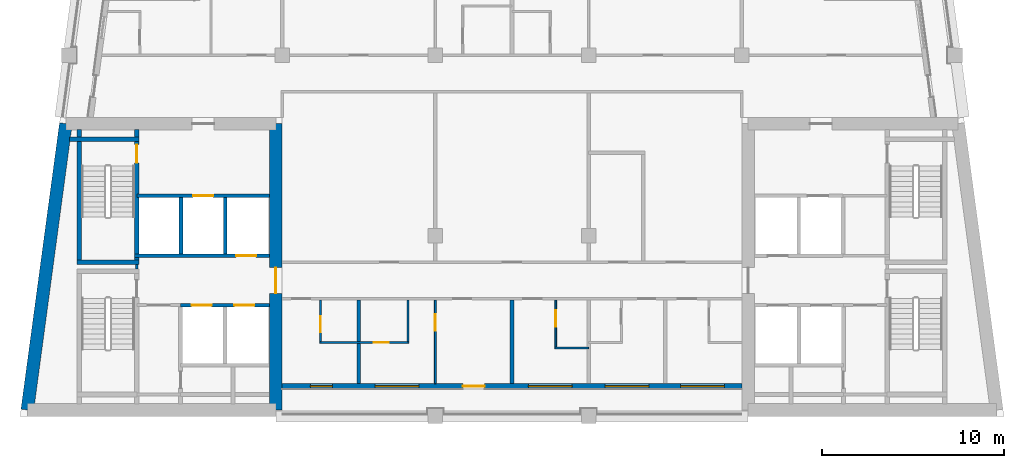
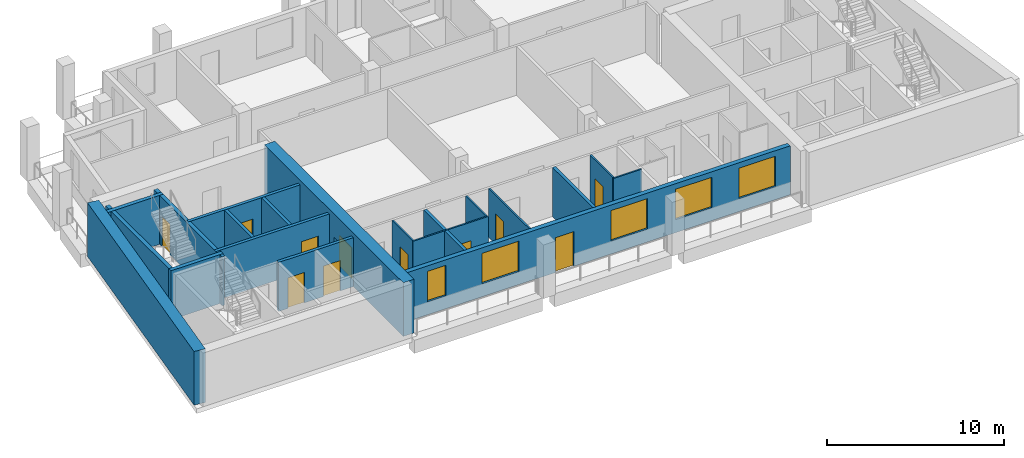
# One storey, part 2 of 10: 21 walls, 11 doors, 5 windows, 16 openings.
"""IFC4 building model written with IfcOpenShell, lengths in metres."""

import ifcopenshell
import ifcopenshell.guid

model = None  # the IFC model being written
_history = None  # IfcOwnerHistory: only IFC2X3 demands one
_inside = {}  # id of a spatial element -> (the spatial element, [elements in it])
_under = {}  # id of a project, library or spatial element -> (it, [spatial elements below it])
_declared = {}  # id of a project -> (the project, [libraries it declares])
_typed = {}  # id of a type object -> (the type object, [elements of that type])
_made_of = {}  # id of a material, layer set ... -> (it, [elements and type objects made of it])


def new_model(schema):
    """Start an empty IFC model of exactly this schema.

    Asked for "IFC4X3", IfcOpenShell would pick the latest addendum, in which some entities
    have other attributes; the version numbers below select the first issue.
    IFC2X3 requires an IfcOwnerHistory on every rooted entity: one is made here for all.
    """
    global model, _history
    if schema == "IFC4X3":
        model = ifcopenshell.file(schema_version=(4, 3, 0, 0))
    else:
        model = ifcopenshell.file(schema=schema)
    _inside.clear()
    _under.clear()
    _declared.clear()
    _typed.clear()
    _made_of.clear()
    _history = None
    if model.schema == "IFC2X3":
        org = make("IfcOrganization", Name="unknown")
        user = make(
            "IfcPersonAndOrganization",
            ThePerson=make("IfcPerson", FamilyName="unknown"),
            TheOrganization=org,
        )
        app = make(
            "IfcApplication",
            ApplicationDeveloper=org,
            Version="unknown",
            ApplicationFullName="unknown",
            ApplicationIdentifier="unknown",
        )
        _history = make(
            "IfcOwnerHistory",
            OwningUser=user,
            OwningApplication=app,
            ChangeAction="ADDED",
            CreationDate=0,
        )
    return model


def make(cls, **values):
    """One entity of the class cls with the attributes given. An attribute that is None is left unset."""
    return model.create_entity(
        cls, **{name: value for name, value in values.items() if value is not None}
    )


def rooted(cls, **values):
    """An entity with a GlobalId (a new one), such as an element, a storey or a relation."""
    return make(cls, GlobalId=ifcopenshell.guid.new(), OwnerHistory=_history, **values)


def si_unit(unit_type, name, prefix=None):
    """IfcSIUnit, for example si_unit("LENGTHUNIT", "METRE", prefix="MILLI")."""
    return make("IfcSIUnit", UnitType=unit_type, Prefix=prefix, Name=name)


def assignment(units):
    """IfcUnitAssignment: the units of a project."""
    return None if units is None else make("IfcUnitAssignment", Units=units)


def point(xyz):
    """IfcCartesianPoint."""
    return None if xyz is None else make("IfcCartesianPoint", Coordinates=xyz)


def direction(xyz):
    """IfcDirection."""
    return None if xyz is None else make("IfcDirection", DirectionRatios=xyz)


def frame(location, z_axis=None, x_axis=None):
    """IfcAxis2Placement3D, a coordinate frame: its origin and axes. An axis left out is left unset."""
    return make(
        "IfcAxis2Placement3D",
        Location=point(location),
        Axis=direction(z_axis),
        RefDirection=direction(x_axis),
    )


def frame_2d(location, x_axis=None):
    """IfcAxis2Placement2D, a coordinate frame in the plane: its origin and x axis."""
    return make(
        "IfcAxis2Placement2D", Location=point(location), RefDirection=direction(x_axis)
    )


def origin():
    """The frame at (0, 0, 0) with its axes left unset."""
    return frame((0.0, 0.0, 0.0))


def place(relative_to, where):
    """IfcLocalPlacement: puts the frame where relative to a parent placement (None: the world)."""
    return make(
        "IfcLocalPlacement", PlacementRelTo=relative_to, RelativePlacement=where
    )


def context(
    kind, dimensions, precision=None, world=None, true_north=None, identifier=None
):
    """IfcGeometricRepresentationContext, for example the 3D "Model" context."""
    return make(
        "IfcGeometricRepresentationContext",
        ContextIdentifier=identifier,
        ContextType=kind,
        CoordinateSpaceDimension=dimensions,
        Precision=precision,
        WorldCoordinateSystem=world,
        TrueNorth=true_north,
    )


def subcontext(parent, identifier, kind, view, scale=None):
    """IfcGeometricRepresentationSubContext, for example "Body" below "Model"."""
    return make(
        "IfcGeometricRepresentationSubContext",
        ContextIdentifier=identifier,
        ContextType=kind,
        ParentContext=parent,
        TargetScale=scale,
        TargetView=view,
    )


def project(units=None, contexts=None):
    """IfcProject with its units and contexts."""
    return rooted(
        "IfcProject",
        Name="project",
        RepresentationContexts=contexts,
        UnitsInContext=assignment(units),
    )


def spatial(cls, under=None, at=None, **own):
    """A site, building, storey or space (cls), placed at a placement, below another one or the project."""
    s = rooted(cls, ObjectPlacement=at, **own)
    if under is not None:
        _under.setdefault(under.id(), (under, []))[1].append(s)
    return s


def profile(cls, at=None, kind="AREA", **sizes):
    """A parametric profile (cls). Its sizes go by their IFC names, for example OverallWidth=200.0."""
    return make(cls, ProfileType=kind, Position=at, **sizes)


def rectangle(**sizes):
    """IfcRectangleProfileDef."""
    return profile("IfcRectangleProfileDef", **sizes)


def extrude(swept, where, along, depth):
    """IfcExtrudedAreaSolid: the profile swept, set in the frame where, extruded along a direction by depth."""
    return make(
        "IfcExtrudedAreaSolid",
        SweptArea=swept,
        Position=where,
        ExtrudedDirection=direction(along),
        Depth=depth,
    )


def shape(context_of_items, identifier, shape_type, items):
    """IfcShapeRepresentation: the items that make up one representation, for example the "Body"."""
    return make(
        "IfcShapeRepresentation",
        ContextOfItems=context_of_items,
        RepresentationIdentifier=identifier,
        RepresentationType=shape_type,
        Items=items,
    )


def material(Name=None, Category=None):
    """IfcMaterial."""
    return make("IfcMaterial", Name=Name, Category=Category)


def layer(
    of_material, thickness, ventilated=None, Name=None, Category=None, Priority=None
):
    """IfcMaterialLayer: one layer of a wall or slab, of a material (None: an air gap)."""
    return make(
        "IfcMaterialLayer",
        Material=of_material,
        LayerThickness=thickness,
        IsVentilated=ventilated,
        Name=Name,
        Category=Category,
        Priority=Priority,
    )


def layer_set(layers, Name=None):
    """IfcMaterialLayerSet."""
    return make("IfcMaterialLayerSet", MaterialLayers=layers, LayerSetName=Name)


def made_of(thing, what):
    """Note that an element or type object is made of a material, layer set ...; save() writes the relation."""
    if what is not None:
        _made_of.setdefault(what.id(), (what, []))[1].append(thing)
    return thing


def type_object(cls, material=None, **own):
    """A type object (cls), such as IfcWallType, which elements share."""
    return made_of(rooted(cls, **own), material)


def element(
    cls,
    number,
    at=None,
    inside=None,
    cuts=None,
    type_object=None,
    material=None,
    context=None,
    identifier="Body",
    shape_type=None,
    held_by="IfcProductDefinitionShape",
    body=None,
    shapes=None,
    **own,
):
    """One element of the class cls, such as IfcWall. Its Tag is "e" and its number.

    at: its placement. inside: the storey or other place that contains it. cuts: it is an
    opening in that element (IfcRelVoidsElement). A single representation is given by context,
    identifier, shape_type and body (its items); several are given by shapes. held_by: the class
    of the entity that holds the representations. save() writes the other relations.
    """
    e = rooted(cls, Tag="e%d" % number, ObjectPlacement=at, **own)
    if body is not None:
        shapes = [shape(context, identifier, shape_type, body)]
    if shapes is not None:
        e.Representation = make(held_by, Representations=shapes)
    if inside is not None:
        _inside.setdefault(inside.id(), (inside, []))[1].append(e)
    if cuts is not None:
        rooted(
            "IfcRelVoidsElement", RelatingBuildingElement=cuts, RelatedOpeningElement=e
        )
    if type_object is not None:
        _typed.setdefault(type_object.id(), (type_object, []))[1].append(e)
    return made_of(e, material)


def fill(opening, filler):
    """IfcRelFillsElement: the door or window that sits in an opening."""
    return rooted(
        "IfcRelFillsElement",
        RelatingOpeningElement=opening,
        RelatedBuildingElement=filler,
    )


def aggregate(whole, parts):
    """IfcRelAggregates: a whole, such as a stair, and the parts it consists of."""
    return rooted("IfcRelAggregates", RelatingObject=whole, RelatedObjects=parts)


def save(model, path):
    """Write the relations noted so far, then the file.

    IfcRelAggregates (storeys below a building ...), IfcRelContainedInSpatialStructure (elements
    in a storey), IfcRelDefinesByType, IfcRelAssociatesMaterial and IfcRelDeclares: one each for
    every whole, place, type object, material and project.
    """
    for whole, parts in _under.values():
        aggregate(whole, parts)
    for where, things in _inside.values():
        rooted(
            "IfcRelContainedInSpatialStructure",
            RelatedElements=things,
            RelatingStructure=where,
        )
    for kind, things in _typed.values():
        rooted("IfcRelDefinesByType", RelatedObjects=things, RelatingType=kind)
    for what, things in _made_of.values():
        rooted("IfcRelAssociatesMaterial", RelatedObjects=things, RelatingMaterial=what)
    for by, libraries in _declared.values():
        rooted("IfcRelDeclares", RelatingContext=by, RelatedDefinitions=libraries)
    model.write(path)


model = new_model("IFC4")

# Units and contexts
model_context = context("Model", 3, precision=1e-05, world=origin(), true_north=direction((0.0, 1.0)))
body_context = subcontext(model_context, "Body", "Model", "MODEL_VIEW")
ifc_project = project(units=[si_unit("LENGTHUNIT", "METRE"), si_unit("AREAUNIT", "SQUARE_METRE"), si_unit("VOLUMEUNIT", "CUBIC_METRE"), si_unit("PLANEANGLEUNIT", "RADIAN"), si_unit("MASSUNIT", "GRAM", prefix="KILO")], contexts=[model_context])

# Site, building, storey
site_placement = place(None, origin())
site = spatial("IfcSite", under=ifc_project, at=site_placement, CompositionType="ELEMENT")
building_placement = place(site_placement, origin())
building = spatial("IfcBuilding", under=site, at=building_placement, Name="Candeia Pilgrim Tower and Theatre", CompositionType="ELEMENT")
storey_placement = place(building_placement, frame((0.0, 0.0, 288.60009765625)))
storey = spatial("IfcBuildingStorey", under=building, at=storey_placement, Name="L70", CompositionType="ELEMENT", Elevation=288.60009765625)

# Wall, opening, door
ifc_material_1 = material(Name="Concrete C40/50", Category="concrete")
ifc_layer_1 = layer(ifc_material_1, 0.699951171875)
ifc_layer_set_1 = layer_set([ifc_layer_1], Name="Core wall 700 C40/50")
wall_type_1 = type_object("IfcWallType", Name="Core wall 700 C40/50", PredefinedType="SHEAR", material=ifc_layer_set_1)
wall_1_placement = place(storey_placement, frame((100.449951171875, 132.050048828125, 0.0), z_axis=(0.0, 0.0, 1.0), x_axis=(0.0, -1.0, 0.0)))
wall_1 = element("IfcWall", 1, at=wall_1_placement, inside=storey, type_object=wall_type_1, Name="Core wall W2", PredefinedType="SHEAR", context=body_context, shape_type="SweptSolid", body=[
    extrude(rectangle(XDim=15.699951171875, YDim=0.699951171875, at=frame_2d((7.85009765625, 0.0))), origin(), (0.0, 0.0, 1.0), 3.699951171875),
])
opening_1_placement = place(wall_1_placement, frame((7.89990234375, 0.0, 0.0)))
opening_1 = element("IfcOpeningElement", 2, at=opening_1_placement, cuts=wall_1, Name="Opening L70-D035", PredefinedType="OPENING", context=body_context, shape_type="SweptSolid", body=[
    extrude(rectangle(XDim=1.39990234375, YDim=2.10009765625, at=frame_2d((0.699951171875, 1.050048828125))), frame((0.0, 0.35986328125, 0.0), z_axis=(0.0, -1.0, 0.0), x_axis=(1.0, 0.0, 0.0)), (0.0, 0.0, 1.0), 0.719970703125),
])
ifc_material_2 = material(Name="Steel fire door set", Category="steel")
door_type_1 = type_object("IfcDoorType", Name="D-1400-FD60", OperationType="NOTDEFINED", PredefinedType="DOOR", material=ifc_material_2)
door_1_placement = place(opening_1_placement, origin())
door_1 = element("IfcDoor", 3, at=door_1_placement, inside=storey, type_object=door_type_1, Name="Door L70-D035", OperationType="SINGLE_SWING_LEFT", OverallHeight=2.10009765625, OverallWidth=1.39990234375, PredefinedType="DOOR", context=body_context, shape_type="SweptSolid", body=[
    extrude(rectangle(XDim=1.39990234375, YDim=2.10009765625, at=frame_2d((0.699951171875, 1.050048828125))), frame((0.0, 0.02490234375, 0.0), z_axis=(0.0, -1.0, 0.0), x_axis=(1.0, 0.0, 0.0)), (0.0, 0.0, 1.0), 0.050048828125),
])
fill(opening_1, door_1)

# Wall
wall_2_placement = place(storey_placement, frame((86.8232421875, 116.35009765625, 0.0), z_axis=(0.0, 0.0, 1.0), x_axis=(0.133416378607, 0.99106007382, 0.0)))
element("IfcWall", 4, at=wall_2_placement, inside=storey, type_object=wall_type_1, Name="Core wall W4", PredefinedType="SHEAR", context=body_context, shape_type="SweptSolid", body=[
    extrude(rectangle(XDim=15.841552734375, YDim=0.699951171875, at=frame_2d((7.9208984375, 0.0))), origin(), (0.0, 0.0, 1.0), 3.699951171875),
])

# Wall, openings, door, windows
ifc_material_3 = material(Name="Ceramic block masonry", Category="masonry")
ifc_layer_2 = layer(ifc_material_3, 0.300048828125)
ifc_layer_set_2 = layer_set([ifc_layer_2], Name="EW1 glazing-line wall 300")
wall_type_2 = type_object("IfcWallType", Name="EW1 glazing-line wall 300", PredefinedType="SOLIDWALL", material=ifc_layer_set_2)
wall_3_placement = place(storey_placement, frame((100.800048828125, 117.64990234375, 0.0), z_axis=(0.0, 0.0, 1.0), x_axis=(1.0, 0.0, 0.0)))
wall_3 = element("IfcWall", 5, at=wall_3_placement, inside=storey, type_object=wall_type_2, Name="External wall L70-1.0", PredefinedType="SOLIDWALL", context=body_context, shape_type="SweptSolid", body=[
    extrude(rectangle(XDim=25.199951171875, YDim=0.300048828125, at=frame_2d((12.60009765625, 0.0))), origin(), (0.0, 0.0, 1.0), 3.3798828125),
])
opening_2_placement = place(wall_3_placement, frame((1.550048828125, 0.0, 0.89990234375)))
opening_2 = element("IfcOpeningElement", 6, at=opening_2_placement, cuts=wall_3, Name="Opening W-B", PredefinedType="OPENING", context=body_context, shape_type="SweptSolid", body=[
    extrude(rectangle(XDim=1.199951171875, YDim=2.10009765625, at=frame_2d((0.60009765625, 1.050048828125))), frame((0.0, 0.16015625, 0.0), z_axis=(0.0, -1.0, 0.0), x_axis=(1.0, 0.0, 0.0)), (0.0, 0.0, 1.0), 0.320068359375),
])
opening_3_placement = place(wall_3_placement, frame((5.10009765625, 0.0, 0.89990234375)))
opening_3 = element("IfcOpeningElement", 7, at=opening_3_placement, cuts=wall_3, Name="Opening W-A", PredefinedType="OPENING", context=body_context, shape_type="SweptSolid", body=[
    extrude(rectangle(XDim=2.39990234375, YDim=2.10009765625, at=frame_2d((1.199951171875, 1.050048828125))), frame((0.0, 0.16015625, 0.0), z_axis=(0.0, -1.0, 0.0), x_axis=(1.0, 0.0, 0.0)), (0.0, 0.0, 1.0), 0.320068359375),
])
opening_4_placement = place(wall_3_placement, frame((9.89990234375, 0.0, 0.0)))
opening_4 = element("IfcOpeningElement", 8, at=opening_4_placement, cuts=wall_3, Name="Opening L70-ED654", PredefinedType="OPENING", context=body_context, shape_type="SweptSolid", body=[
    extrude(rectangle(XDim=1.199951171875, YDim=2.39990234375, at=frame_2d((0.60009765625, 1.199951171875))), frame((0.0, 0.16015625, 0.0), z_axis=(0.0, -1.0, 0.0), x_axis=(1.0, 0.0, 0.0)), (0.0, 0.0, 1.0), 0.320068359375),
])
opening_5_placement = place(wall_3_placement, frame((13.5, 0.0, 0.89990234375)))
opening_5 = element("IfcOpeningElement", 9, at=opening_5_placement, cuts=wall_3, Name="Opening W-A", PredefinedType="OPENING", context=body_context, shape_type="SweptSolid", body=[
    extrude(rectangle(XDim=2.39990234375, YDim=2.10009765625, at=frame_2d((1.199951171875, 1.050048828125))), frame((0.0, 0.16015625, 0.0), z_axis=(0.0, -1.0, 0.0), x_axis=(1.0, 0.0, 0.0)), (0.0, 0.0, 1.0), 0.320068359375),
])
opening_6_placement = place(wall_3_placement, frame((17.699951171875, 0.0, 0.89990234375)))
opening_6 = element("IfcOpeningElement", 10, at=opening_6_placement, cuts=wall_3, Name="Opening W-A", PredefinedType="OPENING", context=body_context, shape_type="SweptSolid", body=[
    extrude(rectangle(XDim=2.39990234375, YDim=2.10009765625, at=frame_2d((1.199951171875, 1.050048828125))), frame((0.0, 0.16015625, 0.0), z_axis=(0.0, -1.0, 0.0), x_axis=(1.0, 0.0, 0.0)), (0.0, 0.0, 1.0), 0.320068359375),
])
opening_7_placement = place(wall_3_placement, frame((21.85009765625, 0.0, 0.89990234375)))
opening_7 = element("IfcOpeningElement", 11, at=opening_7_placement, cuts=wall_3, Name="Opening W-A", PredefinedType="OPENING", context=body_context, shape_type="SweptSolid", body=[
    extrude(rectangle(XDim=2.39990234375, YDim=2.10009765625, at=frame_2d((1.199951171875, 1.050048828125))), frame((0.0, 0.16015625, 0.0), z_axis=(0.0, -1.0, 0.0), x_axis=(1.0, 0.0, 0.0)), (0.0, 0.0, 1.0), 0.320068359375),
])
ifc_material_4 = material(Name="Aluminium framed glazed door", Category="aluminium")
door_type_2 = type_object("IfcDoorType", Name="Loggia door 1200x2400", OperationType="DOUBLE_DOOR_SINGLE_SWING", PredefinedType="DOOR", material=ifc_material_4)
door_2_placement = place(opening_4_placement, origin())
door_2 = element("IfcDoor", 12, at=door_2_placement, inside=storey, type_object=door_type_2, Name="Loggia door L70-ED654", OperationType="DOUBLE_DOOR_SINGLE_SWING", OverallHeight=2.39990234375, OverallWidth=1.199951171875, PredefinedType="DOOR", context=body_context, shape_type="SweptSolid", body=[
    extrude(rectangle(XDim=1.199951171875, YDim=2.39990234375, at=frame_2d((0.60009765625, 1.199951171875))), frame((0.0, 0.02490234375, 0.0), z_axis=(0.0, -1.0, 0.0), x_axis=(1.0, 0.0, 0.0)), (0.0, 0.0, 1.0), 0.050048828125),
])
fill(opening_4, door_2)
ifc_material_5 = material(Name="Aluminium framed double glazing", Category="aluminium")
window_type_1 = type_object("IfcWindowType", Name="W-A window 2400x2100", PartitioningType="DOUBLE_PANEL_VERTICAL", PredefinedType="WINDOW", material=ifc_material_5)
window_1_placement = place(opening_3_placement, origin())
window_1 = element("IfcWindow", 13, at=window_1_placement, inside=storey, type_object=window_type_1, Name="Window W-A L70", OverallHeight=2.10009765625, OverallWidth=2.39990234375, PartitioningType="SINGLE_PANEL", PredefinedType="WINDOW", context=body_context, shape_type="SweptSolid", body=[
    extrude(rectangle(XDim=2.39990234375, YDim=2.10009765625, at=frame_2d((1.199951171875, 1.050048828125))), frame((0.0, 0.030029296875, 0.0), z_axis=(0.0, -1.0, 0.0), x_axis=(1.0, 0.0, 0.0)), (0.0, 0.0, 1.0), 0.06005859375),
])
fill(opening_3, window_1)
window_2_placement = place(opening_5_placement, origin())
window_2 = element("IfcWindow", 14, at=window_2_placement, inside=storey, type_object=window_type_1, Name="Window W-A L70", OverallHeight=2.10009765625, OverallWidth=2.39990234375, PartitioningType="SINGLE_PANEL", PredefinedType="WINDOW", context=body_context, shape_type="SweptSolid", body=[
    extrude(rectangle(XDim=2.39990234375, YDim=2.10009765625, at=frame_2d((1.199951171875, 1.050048828125))), frame((0.0, 0.030029296875, 0.0), z_axis=(0.0, -1.0, 0.0), x_axis=(1.0, 0.0, 0.0)), (0.0, 0.0, 1.0), 0.06005859375),
])
fill(opening_5, window_2)
window_3_placement = place(opening_6_placement, origin())
window_3 = element("IfcWindow", 15, at=window_3_placement, inside=storey, type_object=window_type_1, Name="Window W-A L70", OverallHeight=2.10009765625, OverallWidth=2.39990234375, PartitioningType="SINGLE_PANEL", PredefinedType="WINDOW", context=body_context, shape_type="SweptSolid", body=[
    extrude(rectangle(XDim=2.39990234375, YDim=2.10009765625, at=frame_2d((1.199951171875, 1.050048828125))), frame((0.0, 0.030029296875, 0.0), z_axis=(0.0, -1.0, 0.0), x_axis=(1.0, 0.0, 0.0)), (0.0, 0.0, 1.0), 0.06005859375),
])
fill(opening_6, window_3)
window_4_placement = place(opening_7_placement, origin())
window_4 = element("IfcWindow", 16, at=window_4_placement, inside=storey, type_object=window_type_1, Name="Window W-A L70", OverallHeight=2.10009765625, OverallWidth=2.39990234375, PartitioningType="SINGLE_PANEL", PredefinedType="WINDOW", context=body_context, shape_type="SweptSolid", body=[
    extrude(rectangle(XDim=2.39990234375, YDim=2.10009765625, at=frame_2d((1.199951171875, 1.050048828125))), frame((0.0, 0.030029296875, 0.0), z_axis=(0.0, -1.0, 0.0), x_axis=(1.0, 0.0, 0.0)), (0.0, 0.0, 1.0), 0.06005859375),
])
fill(opening_7, window_4)
window_type_2 = type_object("IfcWindowType", Name="W-B window 1200x2100", PartitioningType="SINGLE_PANEL", PredefinedType="WINDOW", material=ifc_material_5)
window_5_placement = place(opening_2_placement, origin())
window_5 = element("IfcWindow", 17, at=window_5_placement, inside=storey, type_object=window_type_2, Name="Window W-B L70", OverallHeight=2.10009765625, OverallWidth=1.199951171875, PartitioningType="SINGLE_PANEL", PredefinedType="WINDOW", context=body_context, shape_type="SweptSolid", body=[
    extrude(rectangle(XDim=1.199951171875, YDim=2.10009765625, at=frame_2d((0.60009765625, 1.050048828125))), frame((0.0, 0.030029296875, 0.0), z_axis=(0.0, -1.0, 0.0), x_axis=(1.0, 0.0, 0.0)), (0.0, 0.0, 1.0), 0.06005859375),
])
fill(opening_2, window_5)

# Wall
ifc_material_6 = material(Name="Gypsum board partition on steel studs", Category="steel")
ifc_layer_3 = layer(ifc_material_6, 0.10009765625)
ifc_layer_set_3 = layer_set([ifc_layer_3], Name="PW-100 room partition")
wall_type_3 = type_object("IfcWallType", Name="PW-100 room partition", PredefinedType="PARTITIONING", material=ifc_layer_set_3)
wall_4_placement = place(storey_placement, frame((115.75, 119.75, 0.0), z_axis=(0.0, 0.0, 1.0), x_axis=(1.0, 0.0, 0.0)))
element("IfcWall", 18, at=wall_4_placement, inside=storey, type_object=wall_type_3, Name="Room partition L70-009", PredefinedType="PARTITIONING", context=body_context, shape_type="SweptSolid", body=[
    extrude(rectangle(XDim=1.85009765625, YDim=0.10009765625, at=frame_2d((0.925048828125, 0.0))), origin(), (0.0, 0.0, 1.0), 3.3798828125),
])

# Wall, opening, door
wall_5_placement = place(storey_placement, frame((102.85009765625, 120.050048828125, 0.0), z_axis=(0.0, 0.0, 1.0), x_axis=(1.0, 0.0, 0.0)))
wall_5 = element("IfcWall", 19, at=wall_5_placement, inside=storey, type_object=wall_type_3, Name="Room partition L70-010", PredefinedType="PARTITIONING", context=body_context, shape_type="SweptSolid", body=[
    extrude(rectangle(XDim=4.89990234375, YDim=0.10009765625, at=frame_2d((2.449951171875, 0.0))), origin(), (0.0, 0.0, 1.0), 3.3798828125),
])
opening_8_placement = place(wall_5_placement, frame((2.97998046875, 0.0, 0.0)))
opening_8 = element("IfcOpeningElement", 20, at=opening_8_placement, cuts=wall_5, Name="Opening L70-D013", PredefinedType="OPENING", context=body_context, shape_type="SweptSolid", body=[
    extrude(rectangle(XDim=0.800048828125, YDim=2.10009765625, at=frame_2d((0.39990234375, 1.050048828125))), frame((0.0, 0.06005859375, 0.0), z_axis=(0.0, -1.0, 0.0), x_axis=(1.0, 0.0, 0.0)), (0.0, 0.0, 1.0), 0.1201171875),
])
ifc_material_7 = material(Name="Timber door leaf", Category="wood")
door_type_3 = type_object("IfcDoorType", Name="D-800", OperationType="NOTDEFINED", PredefinedType="DOOR", material=ifc_material_7)
door_3_placement = place(opening_8_placement, origin())
door_3 = element("IfcDoor", 21, at=door_3_placement, inside=storey, type_object=door_type_3, Name="Door L70-D013", OperationType="SINGLE_SWING_LEFT", OverallHeight=2.10009765625, OverallWidth=0.800048828125, PredefinedType="DOOR", context=body_context, shape_type="SweptSolid", body=[
    extrude(rectangle(XDim=0.800048828125, YDim=2.10009765625, at=frame_2d((0.39990234375, 1.050048828125))), frame((0.0, 0.02490234375, 0.0), z_axis=(0.0, -1.0, 0.0), x_axis=(1.0, 0.0, 0.0)), (0.0, 0.0, 1.0), 0.050048828125),
])
fill(opening_8, door_3)

wall_6_placement = place(storey_placement, frame((102.89990234375, 120.10009765625, 0.0), z_axis=(0.0, 0.0, 1.0), x_axis=(0.0, 1.0, 0.0)))
wall_6 = element("IfcWall", 22, at=wall_6_placement, inside=storey, type_object=wall_type_3, Name="Room partition L70-051", PredefinedType="PARTITIONING", context=body_context, shape_type="SweptSolid", body=[
    extrude(rectangle(XDim=2.27490234375, YDim=0.10009765625, at=frame_2d((1.137451171875, 0.0))), origin(), (0.0, 0.0, 1.0), 3.3798828125),
])
opening_9_placement = place(wall_6_placement, frame((0.5, 0.0, 0.0)))
opening_9 = element("IfcOpeningElement", 23, at=opening_9_placement, cuts=wall_6, Name="Opening L70-D010", PredefinedType="OPENING", context=body_context, shape_type="SweptSolid", body=[
    extrude(rectangle(XDim=0.89990234375, YDim=2.10009765625, at=frame_2d((0.449951171875, 1.050048828125))), frame((0.0, 0.06005859375, 0.0), z_axis=(0.0, -1.0, 0.0), x_axis=(1.0, 0.0, 0.0)), (0.0, 0.0, 1.0), 0.1201171875),
])
door_type_4 = type_object("IfcDoorType", Name="D-900", OperationType="NOTDEFINED", PredefinedType="DOOR", material=ifc_material_7)
door_4_placement = place(opening_9_placement, origin())
door_4 = element("IfcDoor", 24, at=door_4_placement, inside=storey, type_object=door_type_4, Name="Door L70-D010", OperationType="SINGLE_SWING_RIGHT", OverallHeight=2.10009765625, OverallWidth=0.89990234375, PredefinedType="DOOR", context=body_context, shape_type="SweptSolid", body=[
    extrude(rectangle(XDim=0.89990234375, YDim=2.10009765625, at=frame_2d((0.449951171875, 1.050048828125))), frame((0.0, 0.02490234375, 0.0), z_axis=(0.0, -1.0, 0.0), x_axis=(1.0, 0.0, 0.0)), (0.0, 0.0, 1.0), 0.050048828125),
])
fill(opening_9, door_4)

# Wall
wall_7_placement = place(storey_placement, frame((107.699951171875, 120.10009765625, 0.0), z_axis=(0.0, 0.0, 1.0), x_axis=(0.0, 1.0, 0.0)))
element("IfcWall", 25, at=wall_7_placement, inside=storey, type_object=wall_type_3, Name="Room partition L70-053", PredefinedType="PARTITIONING", context=body_context, shape_type="SweptSolid", body=[
    extrude(rectangle(XDim=2.27490234375, YDim=0.10009765625, at=frame_2d((1.137451171875, 0.0))), origin(), (0.0, 0.0, 1.0), 3.3798828125),
])

# Wall, opening, door
wall_8_placement = place(storey_placement, frame((109.199951171875, 117.7900390625, 0.0), z_axis=(0.0, 0.0, 1.0), x_axis=(0.0, 1.0, 0.0)))
wall_8 = element("IfcWall", 26, at=wall_8_placement, inside=storey, type_object=wall_type_3, Name="Room partition L70-054", PredefinedType="PARTITIONING", context=body_context, shape_type="SweptSolid", body=[
    extrude(rectangle(XDim=4.5849609375, YDim=0.10009765625, at=frame_2d((2.29248046875, 0.0))), origin(), (0.0, 0.0, 1.0), 3.3798828125),
])
opening_10_placement = place(wall_8_placement, frame((2.907958984375, 0.0, 0.0)))
opening_10 = element("IfcOpeningElement", 27, at=opening_10_placement, cuts=wall_8, Name="Opening L70-D012", PredefinedType="OPENING", context=body_context, shape_type="SweptSolid", body=[
    extrude(rectangle(XDim=0.89990234375, YDim=2.10009765625, at=frame_2d((0.449951171875, 1.050048828125))), frame((0.0, 0.06005859375, 0.0), z_axis=(0.0, -1.0, 0.0), x_axis=(1.0, 0.0, 0.0)), (0.0, 0.0, 1.0), 0.1201171875),
])
door_5_placement = place(opening_10_placement, origin())
door_5 = element("IfcDoor", 28, at=door_5_placement, inside=storey, type_object=door_type_4, Name="Door L70-D012", OperationType="SINGLE_SWING_RIGHT", OverallHeight=2.10009765625, OverallWidth=0.89990234375, PredefinedType="DOOR", context=body_context, shape_type="SweptSolid", body=[
    extrude(rectangle(XDim=0.89990234375, YDim=2.10009765625, at=frame_2d((0.449951171875, 1.050048828125))), frame((0.0, 0.02490234375, 0.0), z_axis=(0.0, -1.0, 0.0), x_axis=(1.0, 0.0, 0.0)), (0.0, 0.0, 1.0), 0.050048828125),
])
fill(opening_10, door_5)

wall_9_placement = place(storey_placement, frame((115.800048828125, 119.800048828125, 0.0), z_axis=(0.0, 0.0, 1.0), x_axis=(0.0, 1.0, 0.0)))
wall_9 = element("IfcWall", 29, at=wall_9_placement, inside=storey, type_object=wall_type_3, Name="Room partition L70-061", PredefinedType="PARTITIONING", context=body_context, shape_type="SweptSolid", body=[
    extrude(rectangle(XDim=2.574951171875, YDim=0.10009765625, at=frame_2d((1.28759765625, 0.0))), origin(), (0.0, 0.0, 1.0), 3.3798828125),
])
opening_11_placement = place(wall_9_placement, frame((1.125, 0.0, 0.0)))
opening_11 = element("IfcOpeningElement", 30, at=opening_11_placement, cuts=wall_9, Name="Opening L70-D015", PredefinedType="OPENING", context=body_context, shape_type="SweptSolid", body=[
    extrude(rectangle(XDim=0.89990234375, YDim=2.10009765625, at=frame_2d((0.449951171875, 1.050048828125))), frame((0.0, 0.06005859375, 0.0), z_axis=(0.0, -1.0, 0.0), x_axis=(1.0, 0.0, 0.0)), (0.0, 0.0, 1.0), 0.1201171875),
])
door_6_placement = place(opening_11_placement, origin())
door_6 = element("IfcDoor", 31, at=door_6_placement, inside=storey, type_object=door_type_4, Name="Door L70-D015", OperationType="SINGLE_SWING_LEFT", OverallHeight=2.10009765625, OverallWidth=0.89990234375, PredefinedType="DOOR", context=body_context, shape_type="SweptSolid", body=[
    extrude(rectangle(XDim=0.89990234375, YDim=2.10009765625, at=frame_2d((0.449951171875, 1.050048828125))), frame((0.0, 0.02490234375, 0.0), z_axis=(0.0, -1.0, 0.0), x_axis=(1.0, 0.0, 0.0)), (0.0, 0.0, 1.0), 0.050048828125),
])
fill(opening_11, door_6)

# Walls
ifc_layer_4 = layer(ifc_material_6, 0.14990234375)
ifc_layer_set_4 = layer_set([ifc_layer_4], Name="PW-150 lobby wall")
wall_type_4 = type_object("IfcWallType", Name="PW-150 lobby wall", PredefinedType="PARTITIONING", material=ifc_layer_set_4)
wall_10_placement = place(storey_placement, frame((92.826904296875, 124.074951171875, 0.0), z_axis=(0.0, 0.0, 1.0), x_axis=(0.0, 1.0, 0.0)))
element("IfcWall", 32, at=wall_10_placement, inside=storey, type_object=wall_type_4, Name="Lobby wall L70-039", PredefinedType="PARTITIONING", context=body_context, shape_type="SweptSolid", body=[
    extrude(rectangle(XDim=0.25, YDim=0.14990234375, at=frame_2d((0.125, 0.0))), origin(), (0.0, 0.0, 1.0), 3.3798828125),
])
ifc_layer_5 = layer(ifc_material_6, 0.199951171875)
ifc_layer_set_5 = layer_set([ifc_layer_5], Name="PW-200 party wall")
wall_type_5 = type_object("IfcWallType", Name="PW-200 party wall", PredefinedType="PARTITIONING", material=ifc_layer_set_5)
for number, where, z_axis, x_axis, name in (
    (33, (105.0, 117.7900390625, 0.0), (0.0, 0.0, 1.0), (0.0, 1.0, 0.0), "Party wall L70-052"),
    (34, (113.39990234375, 117.7900390625, 0.0), (0.0, 0.0, 1.0), (0.0, 1.0, 0.0), "Party wall L70-058"),
):
    element("IfcWall", number, at=place(storey_placement, frame(where, z_axis=z_axis, x_axis=x_axis)), inside=storey, type_object=wall_type_5, Name=name, PredefinedType="PARTITIONING", context=body_context, shape_type="SweptSolid", body=[
        extrude(rectangle(XDim=4.5849609375, YDim=0.199951171875, at=frame_2d((2.29248046875, 0.0))), origin(), (0.0, 0.0, 1.0), 3.3798828125),
    ])

# Wall, openings, doors
ifc_layer_6 = layer(ifc_material_1, 0.199951171875)
ifc_layer_set_6 = layer_set([ifc_layer_6], Name="SW-200 shaft wall")
wall_type_6 = type_object("IfcWallType", Name="SW-200 shaft wall", PredefinedType="PARTITIONING", material=ifc_layer_set_6)
wall_11_placement = place(storey_placement, frame((95.22705078125, 122.10009765625, 0.0), z_axis=(0.0, 0.0, 1.0), x_axis=(1.0, 0.0, 0.0)))
wall_11 = element("IfcWall", 35, at=wall_11_placement, inside=storey, type_object=wall_type_6, Name="Shaft wall L70-013", PredefinedType="PARTITIONING", context=body_context, shape_type="SweptSolid", body=[
    extrude(rectangle(XDim=4.873046875, YDim=0.199951171875, at=frame_2d((2.4365234375, 0.0))), origin(), (0.0, 0.0, 1.0), 3.3798828125),
])
opening_12_placement = place(wall_11_placement, frame((0.60498046875, 0.0, 0.0)))
opening_12 = element("IfcOpeningElement", 36, at=opening_12_placement, cuts=wall_11, Name="Opening L70-LD01", PredefinedType="OPENING", context=body_context, shape_type="SweptSolid", body=[
    extrude(rectangle(XDim=1.10009765625, YDim=2.10009765625, at=frame_2d((0.550048828125, 1.050048828125))), frame((0.0, 0.10986328125, 0.0), z_axis=(0.0, -1.0, 0.0), x_axis=(1.0, 0.0, 0.0)), (0.0, 0.0, 1.0), 0.219970703125),
])
opening_13_placement = place(wall_11_placement, frame((2.946044921875, 0.0, 0.0)))
opening_13 = element("IfcOpeningElement", 37, at=opening_13_placement, cuts=wall_11, Name="Opening L70-LD02", PredefinedType="OPENING", context=body_context, shape_type="SweptSolid", body=[
    extrude(rectangle(XDim=1.10009765625, YDim=2.10009765625, at=frame_2d((0.550048828125, 1.050048828125))), frame((0.0, 0.10986328125, 0.0), z_axis=(0.0, -1.0, 0.0), x_axis=(1.0, 0.0, 0.0)), (0.0, 0.0, 1.0), 0.219970703125),
])
ifc_material_8 = material(Name="Glazed aluminium landing door", Category="aluminium")
door_type_5 = type_object("IfcDoorType", Name="LD-1100-EI120", OperationType="SLIDING_TO_LEFT", PredefinedType="DOOR", material=ifc_material_8)
door_7_placement = place(opening_12_placement, origin())
door_7 = element("IfcDoor", 38, at=door_7_placement, inside=storey, type_object=door_type_5, Name="Landing door 01 L70", OperationType="SLIDING_TO_LEFT", OverallHeight=2.10009765625, OverallWidth=1.10009765625, PredefinedType="DOOR", context=body_context, shape_type="SweptSolid", body=[
    extrude(rectangle(XDim=1.10009765625, YDim=2.10009765625, at=frame_2d((0.550048828125, 1.050048828125))), frame((0.0, 0.02490234375, 0.0), z_axis=(0.0, -1.0, 0.0), x_axis=(1.0, 0.0, 0.0)), (0.0, 0.0, 1.0), 0.050048828125),
])
fill(opening_12, door_7)
door_8_placement = place(opening_13_placement, origin())
door_8 = element("IfcDoor", 39, at=door_8_placement, inside=storey, type_object=door_type_5, Name="Landing door 02 L70", OperationType="SLIDING_TO_LEFT", OverallHeight=2.10009765625, OverallWidth=1.10009765625, PredefinedType="DOOR", context=body_context, shape_type="SweptSolid", body=[
    extrude(rectangle(XDim=1.10009765625, YDim=2.10009765625, at=frame_2d((0.550048828125, 1.050048828125))), frame((0.0, 0.02490234375, 0.0), z_axis=(0.0, -1.0, 0.0), x_axis=(1.0, 0.0, 0.0)), (0.0, 0.0, 1.0), 0.050048828125),
])
fill(opening_13, door_8)

# Wall, opening, door
wall_12_placement = place(storey_placement, frame((92.701904296875, 124.800048828125, 0.0), z_axis=(0.0, 0.0, 1.0), x_axis=(1.0, 0.0, 0.0)))
wall_12 = element("IfcWall", 40, at=wall_12_placement, inside=storey, type_object=wall_type_6, Name="Shaft wall L70-023", PredefinedType="PARTITIONING", context=body_context, shape_type="SweptSolid", body=[
    extrude(rectangle(XDim=7.398193359375, YDim=0.199951171875, at=frame_2d((3.69921875, 0.0))), origin(), (0.0, 0.0, 1.0), 3.3798828125),
])
opening_14_placement = place(wall_12_placement, frame((5.572998046875, 0.0, 0.0)))
opening_14 = element("IfcOpeningElement", 41, at=opening_14_placement, cuts=wall_12, Name="Opening L70-LD04", PredefinedType="OPENING", context=body_context, shape_type="SweptSolid", body=[
    extrude(rectangle(XDim=1.10009765625, YDim=2.10009765625, at=frame_2d((0.550048828125, 1.050048828125))), frame((0.0, 0.10986328125, 0.0), z_axis=(0.0, -1.0, 0.0), x_axis=(1.0, 0.0, 0.0)), (0.0, 0.0, 1.0), 0.219970703125),
])
door_9_placement = place(opening_14_placement, origin())
door_9 = element("IfcDoor", 42, at=door_9_placement, inside=storey, type_object=door_type_5, Name="Landing door 04 L70", OperationType="SLIDING_TO_LEFT", OverallHeight=2.10009765625, OverallWidth=1.10009765625, PredefinedType="DOOR", context=body_context, shape_type="SweptSolid", body=[
    extrude(rectangle(XDim=1.10009765625, YDim=2.10009765625, at=frame_2d((0.550048828125, 1.050048828125))), frame((0.0, 0.02490234375, 0.0), z_axis=(0.0, -1.0, 0.0), x_axis=(1.0, 0.0, 0.0)), (0.0, 0.0, 1.0), 0.050048828125),
])
fill(opening_14, door_9)

wall_13_placement = place(storey_placement, frame((92.826904296875, 128.10009765625, 0.0), z_axis=(0.0, 0.0, 1.0), x_axis=(1.0, 0.0, 0.0)))
wall_13 = element("IfcWall", 43, at=wall_13_placement, inside=storey, type_object=wall_type_6, Name="Shaft wall L70-026", PredefinedType="PARTITIONING", context=body_context, shape_type="SweptSolid", body=[
    extrude(rectangle(XDim=7.273193359375, YDim=0.199951171875, at=frame_2d((3.63671875, 0.0))), origin(), (0.0, 0.0, 1.0), 3.3798828125),
])
opening_15_placement = place(wall_13_placement, frame((3.0859375, 0.0, 0.0)))
opening_15 = element("IfcOpeningElement", 44, at=opening_15_placement, cuts=wall_13, Name="Opening L70-LD03", PredefinedType="OPENING", context=body_context, shape_type="SweptSolid", body=[
    extrude(rectangle(XDim=1.10009765625, YDim=2.10009765625, at=frame_2d((0.550048828125, 1.050048828125))), frame((0.0, 0.10986328125, 0.0), z_axis=(0.0, -1.0, 0.0), x_axis=(1.0, 0.0, 0.0)), (0.0, 0.0, 1.0), 0.219970703125),
])
door_10_placement = place(opening_15_placement, origin())
door_10 = element("IfcDoor", 45, at=door_10_placement, inside=storey, type_object=door_type_5, Name="Landing door 03 L70", OperationType="SLIDING_TO_LEFT", OverallHeight=2.10009765625, OverallWidth=1.10009765625, PredefinedType="DOOR", context=body_context, shape_type="SweptSolid", body=[
    extrude(rectangle(XDim=1.10009765625, YDim=2.10009765625, at=frame_2d((0.550048828125, 1.050048828125))), frame((0.0, 0.02490234375, 0.0), z_axis=(0.0, -1.0, 0.0), x_axis=(1.0, 0.0, 0.0)), (0.0, 0.0, 1.0), 0.050048828125),
])
fill(opening_15, door_10)

# Walls
for number, where, z_axis, x_axis, name in (
    (46, (95.251220703125, 124.89990234375, 0.0), (0.0, 0.0, 1.0), (0.0, 1.0, 0.0), "Shaft wall L70-044"),
    (47, (97.67578125, 124.89990234375, 0.0), (0.0, 0.0, 1.0), (0.0, 1.0, 0.0), "Shaft wall L70-047"),
):
    element("IfcWall", number, at=place(storey_placement, frame(where, z_axis=z_axis, x_axis=x_axis)), inside=storey, type_object=wall_type_6, Name=name, PredefinedType="PARTITIONING", context=body_context, shape_type="SweptSolid", body=[
        extrude(rectangle(XDim=3.10009765625, YDim=0.199951171875, at=frame_2d((1.550048828125, 0.0))), origin(), (0.0, 0.0, 1.0), 3.3798828125),
    ])
ifc_layer_7 = layer(ifc_material_1, 0.25)
ifc_layer_set_7 = layer_set([ifc_layer_7], Name="SW-250 stair wall")
wall_type_7 = type_object("IfcWallType", Name="SW-250 stair wall", PredefinedType="PARTITIONING", material=ifc_layer_set_7)
wall_14_placement = place(storey_placement, frame((89.552001953125, 124.449951171875, 0.0), z_axis=(0.0, 0.0, 1.0), x_axis=(1.0, 0.0, 0.0)))
element("IfcWall", 48, at=wall_14_placement, inside=storey, type_object=wall_type_7, Name="Stair wall L70-020", PredefinedType="PARTITIONING", context=body_context, shape_type="SweptSolid", body=[
    extrude(rectangle(XDim=3.39990234375, YDim=0.25, at=frame_2d((1.699951171875, 0.0))), origin(), (0.0, 0.0, 1.0), 3.3798828125),
])
wall_15_placement = place(storey_placement, frame((89.1455078125, 131.199951171875, 0.0), z_axis=(0.0, 0.0, 1.0), x_axis=(1.0, 0.0, 0.0)))
element("IfcWall", 49, at=wall_15_placement, inside=storey, type_object=wall_type_7, Name="Stair wall L70-030", PredefinedType="PARTITIONING", context=body_context, shape_type="SweptSolid", body=[
    extrude(rectangle(XDim=3.806396484375, YDim=0.25, at=frame_2d((1.9033203125, 0.0))), origin(), (0.0, 0.0, 1.0), 3.3798828125),
])
wall_16_placement = place(storey_placement, frame((89.677001953125, 124.574951171875, 0.0), z_axis=(0.0, 0.0, 1.0), x_axis=(0.0, 1.0, 0.0)))
element("IfcWall", 50, at=wall_16_placement, inside=storey, type_object=wall_type_7, Name="Stair wall L70-038", PredefinedType="PARTITIONING", context=body_context, shape_type="SweptSolid", body=[
    extrude(rectangle(XDim=7.155029296875, YDim=0.25, at=frame_2d((3.57763671875, 0.0))), origin(), (0.0, 0.0, 1.0), 3.3798828125),
])

# Wall, opening, door
wall_17_placement = place(storey_placement, frame((92.826904296875, 124.574951171875, 0.0), z_axis=(0.0, 0.0, 1.0), x_axis=(0.0, 1.0, 0.0)))
wall_17 = element("IfcWall", 51, at=wall_17_placement, inside=storey, type_object=wall_type_7, Name="Stair wall L70-041", PredefinedType="PARTITIONING", context=body_context, shape_type="SweptSolid", body=[
    extrude(rectangle(XDim=7.155029296875, YDim=0.25, at=frame_2d((3.57763671875, 0.0))), origin(), (0.0, 0.0, 1.0), 3.3798828125),
])
opening_16_placement = place(wall_17_placement, frame((5.324951171875, 0.0, 0.0)))
opening_16 = element("IfcOpeningElement", 52, at=opening_16_placement, cuts=wall_17, Name="Opening L70-D003", PredefinedType="OPENING", context=body_context, shape_type="SweptSolid", body=[
    extrude(rectangle(XDim=1.0, YDim=2.10009765625, at=frame_2d((0.5, 1.050048828125))), frame((0.0, 0.135009765625, 0.0), z_axis=(0.0, -1.0, 0.0), x_axis=(1.0, 0.0, 0.0)), (0.0, 0.0, 1.0), 0.27001953125),
])
door_type_6 = type_object("IfcDoorType", Name="D-1000-FD60", OperationType="NOTDEFINED", PredefinedType="DOOR", material=ifc_material_2)
door_11_placement = place(opening_16_placement, origin())
door_11 = element("IfcDoor", 53, at=door_11_placement, inside=storey, type_object=door_type_6, Name="Door L70-D003", OperationType="SINGLE_SWING_LEFT", OverallHeight=2.10009765625, OverallWidth=1.0, PredefinedType="DOOR", context=body_context, shape_type="SweptSolid", body=[
    extrude(rectangle(XDim=1.0, YDim=2.10009765625, at=frame_2d((0.5, 1.050048828125))), frame((0.0, 0.02490234375, 0.0), z_axis=(0.0, -1.0, 0.0), x_axis=(1.0, 0.0, 0.0)), (0.0, 0.0, 1.0), 0.050048828125),
])
fill(opening_16, door_11)

save(model, "model.ifc")
